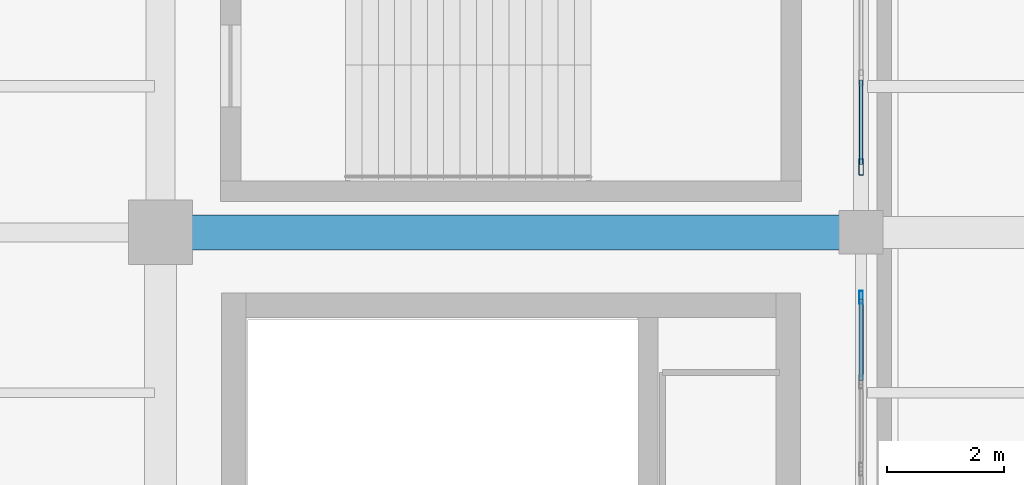
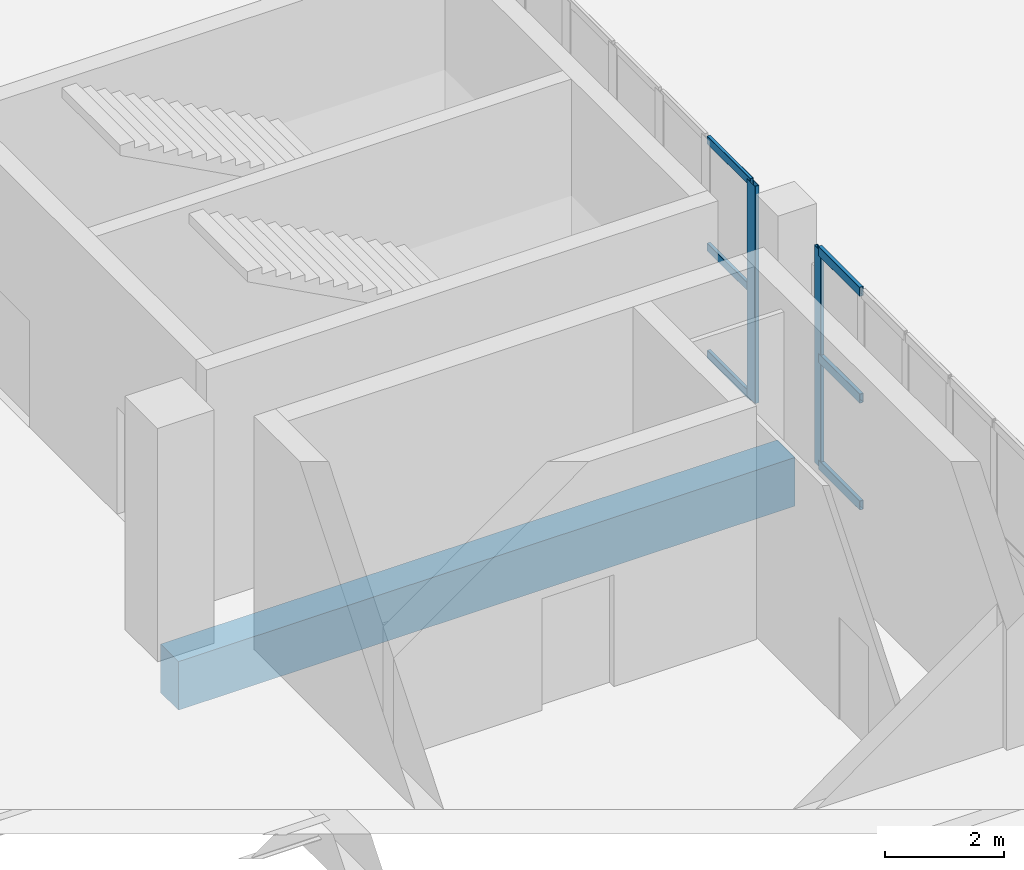
# One storey, part 67 of 136: 8 members, 1 beam, 2 elements without a shape of their own.
"""IFC4 building model written with IfcOpenShell, lengths in metres."""

import ifcopenshell
import ifcopenshell.guid

model = None  # the IFC model being written
_history = None  # IfcOwnerHistory: only IFC2X3 demands one
_inside = {}  # id of a spatial element -> (the spatial element, [elements in it])
_under = {}  # id of a project, library or spatial element -> (it, [spatial elements below it])
_declared = {}  # id of a project -> (the project, [libraries it declares])
_typed = {}  # id of a type object -> (the type object, [elements of that type])
_made_of = {}  # id of a material, layer set ... -> (it, [elements and type objects made of it])


def new_model(schema):
    """Start an empty IFC model of exactly this schema.

    Asked for "IFC4X3", IfcOpenShell would pick the latest addendum, in which some entities
    have other attributes; the version numbers below select the first issue.
    IFC2X3 requires an IfcOwnerHistory on every rooted entity: one is made here for all.
    """
    global model, _history
    if schema == "IFC4X3":
        model = ifcopenshell.file(schema_version=(4, 3, 0, 0))
    else:
        model = ifcopenshell.file(schema=schema)
    _inside.clear()
    _under.clear()
    _declared.clear()
    _typed.clear()
    _made_of.clear()
    _history = None
    if model.schema == "IFC2X3":
        org = make("IfcOrganization", Name="unknown")
        user = make(
            "IfcPersonAndOrganization",
            ThePerson=make("IfcPerson", FamilyName="unknown"),
            TheOrganization=org,
        )
        app = make(
            "IfcApplication",
            ApplicationDeveloper=org,
            Version="unknown",
            ApplicationFullName="unknown",
            ApplicationIdentifier="unknown",
        )
        _history = make(
            "IfcOwnerHistory",
            OwningUser=user,
            OwningApplication=app,
            ChangeAction="ADDED",
            CreationDate=0,
        )
    return model


def make(cls, **values):
    """One entity of the class cls with the attributes given. An attribute that is None is left unset."""
    return model.create_entity(
        cls, **{name: value for name, value in values.items() if value is not None}
    )


def rooted(cls, **values):
    """An entity with a GlobalId (a new one), such as an element, a storey or a relation."""
    return make(cls, GlobalId=ifcopenshell.guid.new(), OwnerHistory=_history, **values)


def si_unit(unit_type, name, prefix=None):
    """IfcSIUnit, for example si_unit("LENGTHUNIT", "METRE", prefix="MILLI")."""
    return make("IfcSIUnit", UnitType=unit_type, Prefix=prefix, Name=name)


def assignment(units):
    """IfcUnitAssignment: the units of a project."""
    return None if units is None else make("IfcUnitAssignment", Units=units)


def point(xyz):
    """IfcCartesianPoint."""
    return None if xyz is None else make("IfcCartesianPoint", Coordinates=xyz)


def direction(xyz):
    """IfcDirection."""
    return None if xyz is None else make("IfcDirection", DirectionRatios=xyz)


def frame(location, z_axis=None, x_axis=None):
    """IfcAxis2Placement3D, a coordinate frame: its origin and axes. An axis left out is left unset."""
    return make(
        "IfcAxis2Placement3D",
        Location=point(location),
        Axis=direction(z_axis),
        RefDirection=direction(x_axis),
    )


def frame_2d(location, x_axis=None):
    """IfcAxis2Placement2D, a coordinate frame in the plane: its origin and x axis."""
    return make(
        "IfcAxis2Placement2D", Location=point(location), RefDirection=direction(x_axis)
    )


def origin():
    """The frame at (0, 0, 0) with its axes left unset."""
    return frame((0.0, 0.0, 0.0))


def origin_2d():
    """The frame at (0, 0) in the plane with its x axis left unset."""
    return frame_2d((0.0, 0.0))


def place(relative_to, where):
    """IfcLocalPlacement: puts the frame where relative to a parent placement (None: the world)."""
    return make(
        "IfcLocalPlacement", PlacementRelTo=relative_to, RelativePlacement=where
    )


def context(
    kind, dimensions, precision=None, world=None, true_north=None, identifier=None
):
    """IfcGeometricRepresentationContext, for example the 3D "Model" context."""
    return make(
        "IfcGeometricRepresentationContext",
        ContextIdentifier=identifier,
        ContextType=kind,
        CoordinateSpaceDimension=dimensions,
        Precision=precision,
        WorldCoordinateSystem=world,
        TrueNorth=true_north,
    )


def subcontext(parent, identifier, kind, view, scale=None):
    """IfcGeometricRepresentationSubContext, for example "Body" below "Model"."""
    return make(
        "IfcGeometricRepresentationSubContext",
        ContextIdentifier=identifier,
        ContextType=kind,
        ParentContext=parent,
        TargetScale=scale,
        TargetView=view,
    )


def project(units=None, contexts=None):
    """IfcProject with its units and contexts."""
    return rooted(
        "IfcProject",
        Name="project",
        RepresentationContexts=contexts,
        UnitsInContext=assignment(units),
    )


def spatial(cls, under=None, at=None, **own):
    """A site, building, storey or space (cls), placed at a placement, below another one or the project."""
    s = rooted(cls, ObjectPlacement=at, **own)
    if under is not None:
        _under.setdefault(under.id(), (under, []))[1].append(s)
    return s


def profile(cls, at=None, kind="AREA", **sizes):
    """A parametric profile (cls). Its sizes go by their IFC names, for example OverallWidth=200.0."""
    return make(cls, ProfileType=kind, Position=at, **sizes)


def rectangle(**sizes):
    """IfcRectangleProfileDef."""
    return profile("IfcRectangleProfileDef", **sizes)


def hollow_rectangle(**sizes):
    """IfcRectangleHollowProfileDef."""
    return profile("IfcRectangleHollowProfileDef", **sizes)


def extrude(swept, where, along, depth):
    """IfcExtrudedAreaSolid: the profile swept, set in the frame where, extruded along a direction by depth."""
    return make(
        "IfcExtrudedAreaSolid",
        SweptArea=swept,
        Position=where,
        ExtrudedDirection=direction(along),
        Depth=depth,
    )


def shape(context_of_items, identifier, shape_type, items):
    """IfcShapeRepresentation: the items that make up one representation, for example the "Body"."""
    return make(
        "IfcShapeRepresentation",
        ContextOfItems=context_of_items,
        RepresentationIdentifier=identifier,
        RepresentationType=shape_type,
        Items=items,
    )


def material(Name=None, Category=None):
    """IfcMaterial."""
    return make("IfcMaterial", Name=Name, Category=Category)


def layer(
    of_material, thickness, ventilated=None, Name=None, Category=None, Priority=None
):
    """IfcMaterialLayer: one layer of a wall or slab, of a material (None: an air gap)."""
    return make(
        "IfcMaterialLayer",
        Material=of_material,
        LayerThickness=thickness,
        IsVentilated=ventilated,
        Name=Name,
        Category=Category,
        Priority=Priority,
    )


def layer_set(layers, Name=None):
    """IfcMaterialLayerSet."""
    return make("IfcMaterialLayerSet", MaterialLayers=layers, LayerSetName=Name)


def material_profile(
    of_material, cross_section, Name=None, Category=None, Priority=None
):
    """IfcMaterialProfile: a cross section and its material."""
    return make(
        "IfcMaterialProfile",
        Name=Name,
        Material=of_material,
        Profile=cross_section,
        Priority=Priority,
        Category=Category,
    )


def profile_set(profiles, Name=None, composite=None):
    """IfcMaterialProfileSet."""
    return make(
        "IfcMaterialProfileSet",
        Name=Name,
        MaterialProfiles=profiles,
        CompositeProfile=composite,
    )


def made_of(thing, what):
    """Note that an element or type object is made of a material, layer set ...; save() writes the relation."""
    if what is not None:
        _made_of.setdefault(what.id(), (what, []))[1].append(thing)
    return thing


def type_object(cls, material=None, **own):
    """A type object (cls), such as IfcWallType, which elements share."""
    return made_of(rooted(cls, **own), material)


def element(
    cls,
    number,
    at=None,
    inside=None,
    cuts=None,
    type_object=None,
    material=None,
    context=None,
    identifier="Body",
    shape_type=None,
    held_by="IfcProductDefinitionShape",
    body=None,
    shapes=None,
    **own,
):
    """One element of the class cls, such as IfcWall. Its Tag is "e" and its number.

    at: its placement. inside: the storey or other place that contains it. cuts: it is an
    opening in that element (IfcRelVoidsElement). A single representation is given by context,
    identifier, shape_type and body (its items); several are given by shapes. held_by: the class
    of the entity that holds the representations. save() writes the other relations.
    """
    e = rooted(cls, Tag="e%d" % number, ObjectPlacement=at, **own)
    if body is not None:
        shapes = [shape(context, identifier, shape_type, body)]
    if shapes is not None:
        e.Representation = make(held_by, Representations=shapes)
    if inside is not None:
        _inside.setdefault(inside.id(), (inside, []))[1].append(e)
    if cuts is not None:
        rooted(
            "IfcRelVoidsElement", RelatingBuildingElement=cuts, RelatedOpeningElement=e
        )
    if type_object is not None:
        _typed.setdefault(type_object.id(), (type_object, []))[1].append(e)
    return made_of(e, material)


def aggregate(whole, parts):
    """IfcRelAggregates: a whole, such as a stair, and the parts it consists of."""
    return rooted("IfcRelAggregates", RelatingObject=whole, RelatedObjects=parts)


def save(model, path):
    """Write the relations noted so far, then the file.

    IfcRelAggregates (storeys below a building ...), IfcRelContainedInSpatialStructure (elements
    in a storey), IfcRelDefinesByType, IfcRelAssociatesMaterial and IfcRelDeclares: one each for
    every whole, place, type object, material and project.
    """
    for whole, parts in _under.values():
        aggregate(whole, parts)
    for where, things in _inside.values():
        rooted(
            "IfcRelContainedInSpatialStructure",
            RelatedElements=things,
            RelatingStructure=where,
        )
    for kind, things in _typed.values():
        rooted("IfcRelDefinesByType", RelatedObjects=things, RelatingType=kind)
    for what, things in _made_of.values():
        rooted("IfcRelAssociatesMaterial", RelatedObjects=things, RelatingMaterial=what)
    for by, libraries in _declared.values():
        rooted("IfcRelDeclares", RelatingContext=by, RelatedDefinitions=libraries)
    model.write(path)


model = new_model("IFC4")

# Units and contexts
model_context = context("Model", 3, precision=1e-05, world=origin(), true_north=direction((0.0, 1.0)))
body_context = subcontext(model_context, "Body", "Model", "MODEL_VIEW")
ifc_project = project(units=[si_unit("LENGTHUNIT", "METRE"), si_unit("AREAUNIT", "SQUARE_METRE"), si_unit("VOLUMEUNIT", "CUBIC_METRE"), si_unit("PLANEANGLEUNIT", "RADIAN"), si_unit("MASSUNIT", "GRAM", prefix="KILO")], contexts=[model_context])

# Site, building, storey
site_placement = place(None, origin())
site = spatial("IfcSite", under=ifc_project, at=site_placement, CompositionType="ELEMENT")
building_placement = place(site_placement, origin())
building = spatial("IfcBuilding", under=site, at=building_placement, Name="Brinegate Civic Arena", CompositionType="ELEMENT")
storey_placement = place(building_placement, frame((0.0, 0.0, 5.39990234375)))
storey = spatial("IfcBuildingStorey", under=building, at=storey_placement, Name="L01", CompositionType="ELEMENT", Elevation=5.39990234375)

# Curtain wall, member
ifc_material_1 = material(Name="Marine grade aluminium", Category="aluminium")
ifc_layer = layer(ifc_material_1, 0.199951171875, Name="Marine grade aluminium")
ifc_layer_set = layer_set([ifc_layer], Name="Marine grade aluminium")
curtain_wall_type = type_object("IfcCurtainWallType", Name="CW-BOWL-GLAZED-01", PredefinedType="USERDEFINED", material=ifc_layer_set)
curtain_wall_1_placement = place(storey_placement, origin())
curtain_wall_1 = element("IfcCurtainWall", 1, at=curtain_wall_1_placement, inside=storey, type_object=curtain_wall_type, Name="Curtain Wall CWA-047", ObjectType="GLAZED CURTAIN WALL", PredefinedType="USERDEFINED")
ifc_material_profile_1 = material_profile(ifc_material_1, hollow_rectangle(XDim=0.06494140625, YDim=0.219970703125, WallThickness=0.006103515625, InnerFilletRadius=0.00390625, OuterFilletRadius=0.008056640625, at=origin_2d()), Name="MUL65X220")
ifc_profile_set_1 = profile_set([ifc_material_profile_1], Name="Marine grade aluminium")
member_type_1 = type_object("IfcMemberType", Name="CW-MULLION-65X220", PredefinedType="MULLION", material=ifc_profile_set_1)
member_1_placement = place(storey_placement, frame((168.0, 40.887451171875, 0.0), z_axis=(0.0, 0.0, 1.0), x_axis=(-1.0, 0.0, 0.0)))
member_1 = element("IfcMember", 2, at=member_1_placement, type_object=member_type_1, Name="CWA-047 mullion 7", PredefinedType="MULLION", context=body_context, shape_type="SweptSolid", body=[
    extrude(hollow_rectangle(XDim=0.06494140625, YDim=0.219970703125, WallThickness=0.006103515625, InnerFilletRadius=0.00390625, OuterFilletRadius=0.008056640625, at=origin_2d()), origin(), (0.0, 0.0, 1.0), 4.47021484375),
])

# Curtain wall, members
curtain_wall_2_placement = place(storey_placement, origin())
curtain_wall_2 = element("IfcCurtainWall", 3, at=curtain_wall_2_placement, inside=storey, type_object=curtain_wall_type, Name="Curtain Wall CWA-049", ObjectType="GLAZED CURTAIN WALL", PredefinedType="USERDEFINED")
ifc_material_profile_2 = material_profile(ifc_material_1, hollow_rectangle(XDim=0.080078125, YDim=0.280029296875, WallThickness=0.007080078125, InnerFilletRadius=0.0048828125, OuterFilletRadius=0.010009765625, at=origin_2d()), Name="MUL80X280")
ifc_profile_set_2 = profile_set([ifc_material_profile_2], Name="Marine grade aluminium")
member_type_2 = type_object("IfcMemberType", Name="CW-MULLION-80X280", PredefinedType="MULLION", material=ifc_profile_set_2)
member_2_placement = place(storey_placement, frame((168.0, 43.1201171875, 0.0), z_axis=(0.0, 0.0, 1.0), x_axis=(-1.0, 0.0, 0.0)))
member_2 = element("IfcMember", 4, at=member_2_placement, type_object=member_type_2, Name="CWA-049 mullion 1", PredefinedType="MULLION", context=body_context, shape_type="SweptSolid", body=[
    extrude(hollow_rectangle(XDim=0.080078125, YDim=0.280029296875, WallThickness=0.007080078125, InnerFilletRadius=0.0048828125, OuterFilletRadius=0.010009765625, at=origin_2d()), origin(), (0.0, 0.0, 1.0), 4.47021484375),
])
ifc_material_profile_3 = material_profile(ifc_material_1, hollow_rectangle(XDim=0.06494140625, YDim=0.1650390625, WallThickness=0.0048828125, InnerFilletRadius=0.00390625, OuterFilletRadius=0.008056640625, at=origin_2d()), Name="TRN65X165")
ifc_profile_set_3 = profile_set([ifc_material_profile_3], Name="Marine grade aluminium")
member_type_3 = type_object("IfcMemberType", Name="CW-TRANSOM-65X165", PredefinedType="USERDEFINED", material=ifc_profile_set_3)
member_3_placement = place(storey_placement, frame((168.0, 43.159912109375, 0.03271484375), z_axis=(0.0, 1.0, 0.0), x_axis=(-1.0, 0.0, 0.0)))
member_3 = element("IfcMember", 5, at=member_3_placement, type_object=member_type_3, Name="CWA-049 transom 1.1", ObjectType="TRANSOM", PredefinedType="USERDEFINED", context=body_context, shape_type="SweptSolid", body=[
    extrude(hollow_rectangle(XDim=0.06494140625, YDim=0.1650390625, WallThickness=0.0048828125, InnerFilletRadius=0.00390625, OuterFilletRadius=0.008056640625, at=origin_2d()), origin(), (0.0, 0.0, 1.0), 1.447998046875),
])
member_4_placement = place(storey_placement, frame((168.0, 43.159912109375, 2.235107421875), z_axis=(0.0, 1.0, 0.0), x_axis=(-1.0, 0.0, 0.0)))
member_4 = element("IfcMember", 6, at=member_4_placement, type_object=member_type_3, Name="CWA-049 transom 1.2", ObjectType="TRANSOM", PredefinedType="USERDEFINED", context=body_context, shape_type="SweptSolid", body=[
    extrude(hollow_rectangle(XDim=0.06494140625, YDim=0.1650390625, WallThickness=0.0048828125, InnerFilletRadius=0.00390625, OuterFilletRadius=0.008056640625, at=origin_2d()), origin(), (0.0, 0.0, 1.0), 1.447998046875),
])
member_5_placement = place(storey_placement, frame((168.0, 43.159912109375, 4.4375), z_axis=(0.0, 1.0, 0.0), x_axis=(-1.0, 0.0, 0.0)))
member_5 = element("IfcMember", 7, at=member_5_placement, type_object=member_type_3, Name="CWA-049 transom 1.3", ObjectType="TRANSOM", PredefinedType="USERDEFINED", context=body_context, shape_type="SweptSolid", body=[
    extrude(hollow_rectangle(XDim=0.06494140625, YDim=0.1650390625, WallThickness=0.0048828125, InnerFilletRadius=0.00390625, OuterFilletRadius=0.008056640625, at=origin_2d()), origin(), (0.0, 0.0, 1.0), 1.447998046875),
])
aggregate(curtain_wall_2, [member_2, member_3, member_4, member_5])

# Member
ifc_material_profile_4 = material_profile(ifc_material_1, hollow_rectangle(XDim=0.074951171875, YDim=0.18994140625, WallThickness=0.006103515625, InnerFilletRadius=0.00390625, OuterFilletRadius=0.008056640625, at=origin_2d()), Name="TRN75X190")
ifc_profile_set_4 = profile_set([ifc_material_profile_4], Name="Marine grade aluminium")
member_type_4 = type_object("IfcMemberType", Name="CW-TRANSOM-75X190", PredefinedType="USERDEFINED", material=ifc_profile_set_4)
member_6_placement = place(storey_placement, frame((168.0, 39.462646484375, 0.03759765625), z_axis=(0.0, 1.0, 0.0), x_axis=(-1.0, 0.0, 0.0)))
member_6 = element("IfcMember", 8, at=member_6_placement, type_object=member_type_4, Name="CWA-047 transom 6.1", ObjectType="TRANSOM", PredefinedType="USERDEFINED", context=body_context, shape_type="SweptSolid", body=[
    extrude(hollow_rectangle(XDim=0.074951171875, YDim=0.18994140625, WallThickness=0.006103515625, InnerFilletRadius=0.00390625, OuterFilletRadius=0.008056640625, at=origin_2d()), origin(), (0.0, 0.0, 1.0), 1.392333984375),
])

member_7_placement = place(storey_placement, frame((168.0, 39.462646484375, 2.235107421875), z_axis=(0.0, 1.0, 0.0), x_axis=(-1.0, 0.0, 0.0)))
member_7 = element("IfcMember", 9, at=member_7_placement, type_object=member_type_4, Name="CWA-047 transom 6.2", ObjectType="TRANSOM", PredefinedType="USERDEFINED", context=body_context, shape_type="SweptSolid", body=[
    extrude(hollow_rectangle(XDim=0.074951171875, YDim=0.18994140625, WallThickness=0.006103515625, InnerFilletRadius=0.00390625, OuterFilletRadius=0.008056640625, at=origin_2d()), origin(), (0.0, 0.0, 1.0), 1.392333984375),
])

member_8_placement = place(storey_placement, frame((168.0, 39.462646484375, 4.4326171875), z_axis=(0.0, 1.0, 0.0), x_axis=(-1.0, 0.0, 0.0)))
member_8 = element("IfcMember", 10, at=member_8_placement, type_object=member_type_4, Name="CWA-047 transom 6.3", ObjectType="TRANSOM", PredefinedType="USERDEFINED", context=body_context, shape_type="SweptSolid", body=[
    extrude(hollow_rectangle(XDim=0.074951171875, YDim=0.18994140625, WallThickness=0.006103515625, InnerFilletRadius=0.00390625, OuterFilletRadius=0.008056640625, at=origin_2d()), origin(), (0.0, 0.0, 1.0), 1.392333984375),
])

aggregate(curtain_wall_1, [member_1, member_6, member_7, member_8])

# Beam
ifc_material_2 = material(Name="Concrete C50/60", Category="concrete")
ifc_material_profile_5 = material_profile(ifc_material_2, rectangle(XDim=0.60009765625, YDim=1.0, at=origin_2d()), Name="RCB600X1000")
ifc_profile_set_5 = profile_set([ifc_material_profile_5], Name="Concrete C50/60")
beam_type = type_object("IfcBeamType", Name="RCG-600X1000", PredefinedType="BEAM", material=ifc_profile_set_5)
beam_placement = place(storey_placement, frame((156.0, 42.0, -0.83984375), z_axis=(1.0, 0.0, 0.0), x_axis=(0.0, 1.0, 0.0)))
element("IfcBeam", 11, at=beam_placement, inside=storey, type_object=beam_type, Name="Floor Girder BM-L01-GX-13-04", PredefinedType="BEAM", context=body_context, shape_type="SweptSolid", body=[
    extrude(rectangle(XDim=0.60009765625, YDim=1.0, at=origin_2d()), origin(), (0.0, 0.0, 1.0), 12.0),
])

save(model, "model.ifc")
